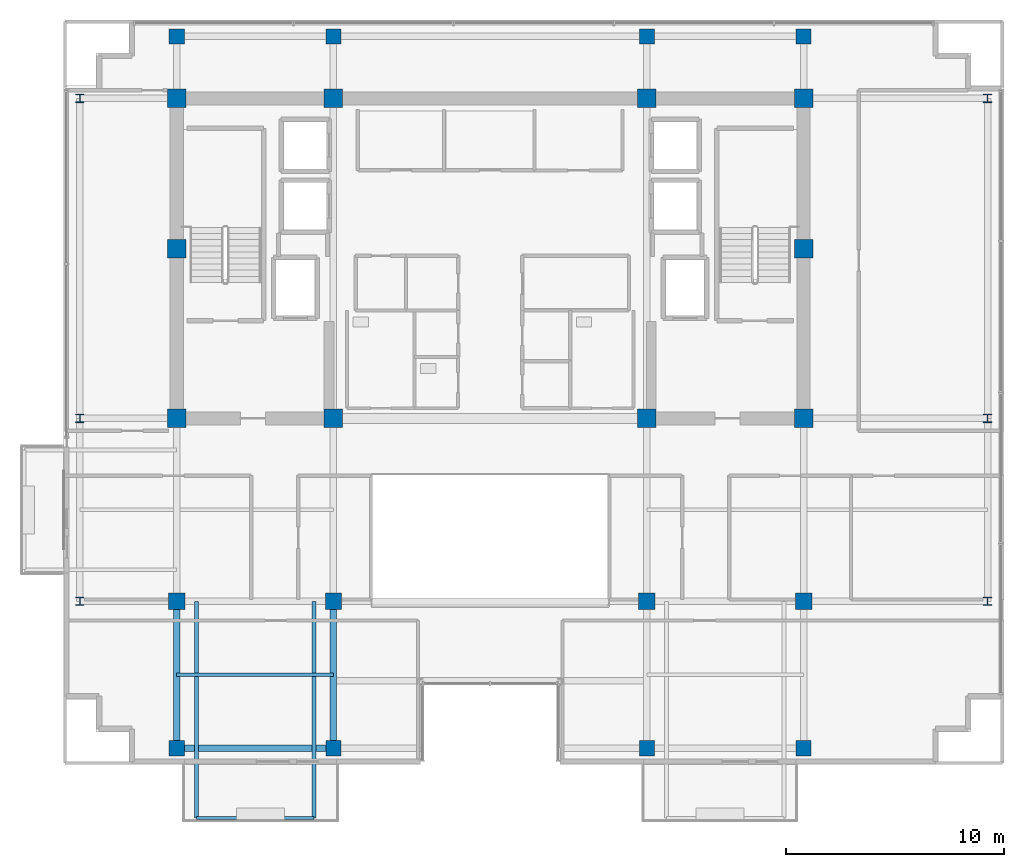
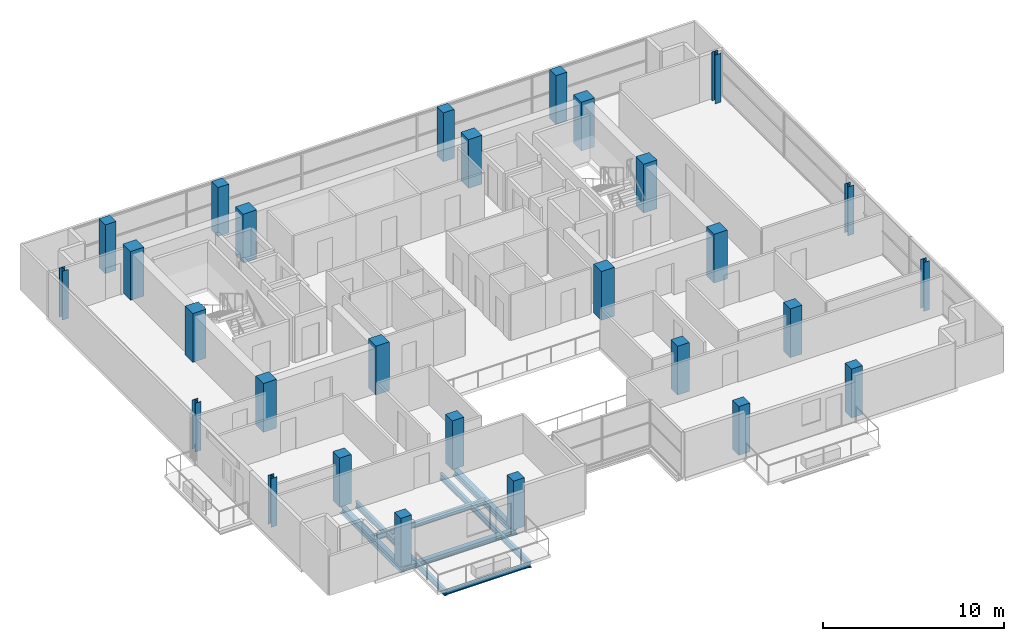
# One storey, part 1 of 21: 28 columns, 7 beams.
"""IFC4 building model written with IfcOpenShell, lengths in metres."""

from ifc_helpers import new_model, si_unit, direction, frame, origin, origin_2d, place, context, subcontext, project, spatial, rectangle, i_section, extrude, material, material_profile, profile_set, type_object, element, save


model = new_model("IFC4")

# Units and contexts
model_context = context("Model", 3, precision=1e-05, world=origin(), true_north=direction((0.0, 1.0)))
body_context = subcontext(model_context, "Body", "Model", "MODEL_VIEW")
ifc_project = project(units=[si_unit("LENGTHUNIT", "METRE"), si_unit("AREAUNIT", "SQUARE_METRE"), si_unit("VOLUMEUNIT", "CUBIC_METRE"), si_unit("PLANEANGLEUNIT", "RADIAN"), si_unit("MASSUNIT", "GRAM", prefix="KILO")], contexts=[model_context])

# Site, building, storey
site_placement = place(None, origin())
site = spatial("IfcSite", under=ifc_project, at=site_placement, CompositionType="ELEMENT")
building_placement = place(site_placement, origin())
building = spatial("IfcBuilding", under=site, at=building_placement, Name="Zarnakvel Exchange Tower", CompositionType="ELEMENT")
storey_placement = place(building_placement, frame((0.0, 0.0, 241.89990234375)))
storey = spatial("IfcBuildingStorey", under=building, at=storey_placement, Name="L68", CompositionType="ELEMENT", Elevation=241.89990234375)

# Columns
ifc_material_1 = material(Name="Concrete C50/60", Category="concrete")
ifc_material_profile_1 = material_profile(ifc_material_1, rectangle(XDim=0.85009765625, YDim=0.85009765625, at=origin_2d()))
ifc_profile_set_1 = profile_set([ifc_material_profile_1], Name="Concrete C50/60")
column_type_1 = type_object("IfcColumnType", Name="CC-03", PredefinedType="COLUMN", material=ifc_profile_set_1)
for number, where, z_axis, x_axis, name in (
    (1, (-14.39990234375, -1.199951171875, 0.0), (0.0, 0.0, 1.0), (1.0, 0.0, 0.0), "L68 Column C-4D (CC-03)"),
    (2, (-7.199951171875, -1.199951171875, 0.0), (0.0, 0.0, 1.0), (1.0, 0.0, 0.0), "L68 Column C-5D (CC-03)"),
    (3, (7.199951171875, -1.199951171875, 0.0), (0.0, 0.0, 1.0), (1.0, 0.0, 0.0), "L68 Column C-8D (CC-03)"),
    (4, (14.39990234375, -1.199951171875, 0.0), (0.0, 0.0, 1.0), (1.0, 0.0, 0.0), "L68 Column C-9D (CC-03)"),
    (5, (-14.39990234375, 6.60009765625, 0.0), (0.0, 0.0, 1.0), (1.0, 0.0, 0.0), "L68 Column C-4E (CC-03)"),
    (6, (14.39990234375, 6.60009765625, 0.0), (0.0, 0.0, 1.0), (1.0, 0.0, 0.0), "L68 Column C-9E (CC-03)"),
    (7, (-14.39990234375, 13.5, 0.0), (0.0, 0.0, 1.0), (1.0, 0.0, 0.0), "L68 Column C-4F (CC-03)"),
    (8, (-7.199951171875, 13.5, 0.0), (0.0, 0.0, 1.0), (1.0, 0.0, 0.0), "L68 Column C-5F (CC-03)"),
    (9, (7.199951171875, 13.5, 0.0), (0.0, 0.0, 1.0), (1.0, 0.0, 0.0), "L68 Column C-8F (CC-03)"),
    (10, (14.39990234375, 13.5, 0.0), (0.0, 0.0, 1.0), (1.0, 0.0, 0.0), "L68 Column C-9F (CC-03)"),
):
    element("IfcColumn", number, at=place(storey_placement, frame(where, z_axis=z_axis, x_axis=x_axis)), inside=storey, type_object=column_type_1, Name=name, PredefinedType="COLUMN", context=body_context, shape_type="SweptSolid", body=[
        extrude(rectangle(XDim=0.85009765625, YDim=0.85009765625, at=origin_2d()), origin(), (0.0, 0.0, 1.0), 3.300048828125),
    ])
ifc_material_2 = material(Name="Steel S355", Category="steel")
ifc_material_profile_2 = material_profile(ifc_material_2, i_section(OverallWidth=0.374755859375, OverallDepth=0.37451171875, WebThickness=0.0166015625, FlangeThickness=0.027099609375, FilletRadius=0.01513671875, at=origin_2d()))
ifc_profile_set_2 = profile_set([ifc_material_profile_2], Name="Steel S355")
column_type_2 = type_object("IfcColumnType", Name="SC-05", PredefinedType="COLUMN", material=ifc_profile_set_2)
for number, where, z_axis, x_axis, name in (
    (11, (-18.85009765625, -9.60009765625, 0.0), (0.0, 0.0, 1.0), (1.0, 0.0, 0.0), "L68 Column TW-C (SC-05)"),
    (12, (22.85009765625, -9.60009765625, 0.0), (0.0, 0.0, 1.0), (1.0, 0.0, 0.0), "L68 Column TE-C (SC-05)"),
    (13, (-18.85009765625, -1.199951171875, 0.0), (0.0, 0.0, 1.0), (1.0, 0.0, 0.0), "L68 Column TW-D (SC-05)"),
    (14, (22.85009765625, -1.199951171875, 0.0), (0.0, 0.0, 1.0), (1.0, 0.0, 0.0), "L68 Column TE-D (SC-05)"),
    (15, (-18.85009765625, 13.5, 0.0), (0.0, 0.0, 1.0), (1.0, 0.0, 0.0), "L68 Column TW-F (SC-05)"),
    (16, (22.85009765625, 13.5, 0.0), (0.0, 0.0, 1.0), (1.0, 0.0, 0.0), "L68 Column TE-F (SC-05)"),
):
    element("IfcColumn", number, at=place(storey_placement, frame(where, z_axis=z_axis, x_axis=x_axis)), inside=storey, type_object=column_type_2, Name=name, PredefinedType="COLUMN", context=body_context, shape_type="SweptSolid", body=[
        extrude(i_section(OverallWidth=0.374755859375, OverallDepth=0.37451171875, WebThickness=0.0166015625, FlangeThickness=0.027099609375, FilletRadius=0.01513671875, at=origin_2d()), origin(), (0.0, 0.0, 1.0), 3.300048828125),
    ])
ifc_material_profile_3 = material_profile(ifc_material_1, rectangle(XDim=0.75, YDim=0.75, at=origin_2d()))
ifc_profile_set_3 = profile_set([ifc_material_profile_3], Name="Concrete C50/60")
column_type_3 = type_object("IfcColumnType", Name="TC-04", PredefinedType="COLUMN", material=ifc_profile_set_3)
for number, where, z_axis, x_axis, name in (
    (17, (-14.39990234375, -9.60009765625, 0.0), (0.0, 0.0, 1.0), (1.0, 0.0, 0.0), "L68 Column T-4C (TC-04)"),
    (18, (-7.199951171875, -9.60009765625, 0.0), (0.0, 0.0, 1.0), (1.0, 0.0, 0.0), "L68 Column T-5C (TC-04)"),
    (19, (7.199951171875, -9.60009765625, 0.0), (0.0, 0.0, 1.0), (1.0, 0.0, 0.0), "L68 Column T-8C (TC-04)"),
    (20, (14.39990234375, -9.60009765625, 0.0), (0.0, 0.0, 1.0), (1.0, 0.0, 0.0), "L68 Column T-9C (TC-04)"),
):
    element("IfcColumn", number, at=place(storey_placement, frame(where, z_axis=z_axis, x_axis=x_axis)), inside=storey, type_object=column_type_3, Name=name, PredefinedType="COLUMN", context=body_context, shape_type="SweptSolid", body=[
        extrude(rectangle(XDim=0.75, YDim=0.75, at=origin_2d()), origin(), (0.0, 0.0, 1.0), 3.300048828125),
    ])
ifc_material_profile_4 = material_profile(ifc_material_1, rectangle(XDim=0.699951171875, YDim=0.699951171875, at=origin_2d()))
ifc_profile_set_4 = profile_set([ifc_material_profile_4], Name="Concrete C50/60")
column_type_4 = type_object("IfcColumnType", Name="TC-05", PredefinedType="COLUMN", material=ifc_profile_set_4)
for number, where, z_axis, x_axis, name in (
    (21, (-14.39990234375, -16.35009765625, 0.0), (0.0, 0.0, 1.0), (1.0, 0.0, 0.0), "L68 Column TS-4 (TC-05)"),
    (22, (-14.39990234375, 16.35009765625, 0.0), (0.0, 0.0, 1.0), (1.0, 0.0, 0.0), "L68 Column TN-4 (TC-05)"),
    (23, (-7.199951171875, -16.35009765625, 0.0), (0.0, 0.0, 1.0), (1.0, 0.0, 0.0), "L68 Column TS-5 (TC-05)"),
    (24, (-7.199951171875, 16.35009765625, 0.0), (0.0, 0.0, 1.0), (1.0, 0.0, 0.0), "L68 Column TN-5 (TC-05)"),
    (25, (7.199951171875, -16.35009765625, 0.0), (0.0, 0.0, 1.0), (1.0, 0.0, 0.0), "L68 Column TS-8 (TC-05)"),
    (26, (7.199951171875, 16.35009765625, 0.0), (0.0, 0.0, 1.0), (1.0, 0.0, 0.0), "L68 Column TN-8 (TC-05)"),
    (27, (14.39990234375, -16.35009765625, 0.0), (0.0, 0.0, 1.0), (1.0, 0.0, 0.0), "L68 Column TS-9 (TC-05)"),
    (28, (14.39990234375, 16.35009765625, 0.0), (0.0, 0.0, 1.0), (1.0, 0.0, 0.0), "L68 Column TN-9 (TC-05)"),
):
    element("IfcColumn", number, at=place(storey_placement, frame(where, z_axis=z_axis, x_axis=x_axis)), inside=storey, type_object=column_type_4, Name=name, PredefinedType="COLUMN", context=body_context, shape_type="SweptSolid", body=[
        extrude(rectangle(XDim=0.699951171875, YDim=0.699951171875, at=origin_2d()), origin(), (0.0, 0.0, 1.0), 3.300048828125),
    ])

# Beams
ifc_material_profile_5 = material_profile(ifc_material_2, i_section(OverallWidth=0.179931640625, OverallDepth=0.39990234375, WebThickness=0.008544921875, FlangeThickness=0.013427734375, FilletRadius=0.02099609375, at=origin_2d()))
ifc_profile_set_5 = profile_set([ifc_material_profile_5], Name="Steel S355")
beam_type_1 = type_object("IfcBeamType", Name="B-06", PredefinedType="JOIST", material=ifc_profile_set_5)
for number, where, z_axis, x_axis, name in (
    (29, (-13.5, -9.60009765625, -0.4248046875), (0.0, -1.0, 0.0), (1.0, 0.0, 0.0), "L68 Continuous Back-Spanned Balcony Beam W"),
    (30, (-8.10009765625, -9.60009765625, -0.4248046875), (0.0, -1.0, 0.0), (1.0, 0.0, 0.0), "L68 Continuous Back-Spanned Balcony Beam E"),
):
    element("IfcBeam", number, at=place(storey_placement, frame(where, z_axis=z_axis, x_axis=x_axis)), inside=storey, type_object=beam_type_1, Name=name, PredefinedType="JOIST", context=body_context, shape_type="SweptSolid", body=[
        extrude(i_section(OverallWidth=0.179931640625, OverallDepth=0.39990234375, WebThickness=0.008544921875, FlangeThickness=0.013427734375, FilletRadius=0.02099609375, at=origin_2d()), origin(), (0.0, 0.0, 1.0), 9.949951171875),
    ])
ifc_material_profile_6 = material_profile(ifc_material_2, i_section(OverallWidth=0.169921875, OverallDepth=0.360107421875, WebThickness=0.008056640625, FlangeThickness=0.0126953125, FilletRadius=0.01806640625, at=origin_2d()))
ifc_profile_set_6 = profile_set([ifc_material_profile_6], Name="Steel S355")
beam_type_2 = type_object("IfcBeamType", Name="B-07", PredefinedType="JOIST", material=ifc_profile_set_6)
beam_1_placement = place(storey_placement, frame((-14.39990234375, -12.97509765625, -0.40478515625), z_axis=(1.0, 0.0, 0.0), x_axis=(0.0, 1.0, 0.0)))
element("IfcBeam", 31, at=beam_1_placement, inside=storey, type_object=beam_type_2, Name="L68 Composite Floor Secondary Joist", PredefinedType="JOIST", context=body_context, shape_type="SweptSolid", body=[
    extrude(i_section(OverallWidth=0.169921875, OverallDepth=0.360107421875, WebThickness=0.008056640625, FlangeThickness=0.0126953125, FilletRadius=0.01806640625, at=origin_2d()), origin(), (0.0, 0.0, 1.0), 7.199951171875),
])
ifc_material_profile_7 = material_profile(ifc_material_2, i_section(OverallWidth=0.14990234375, OverallDepth=0.300048828125, WebThickness=0.007080078125, FlangeThickness=0.0107421875, FilletRadius=0.014892578125, at=origin_2d()))
ifc_profile_set_7 = profile_set([ifc_material_profile_7], Name="Steel S355")
beam_type_3 = type_object("IfcBeamType", Name="B-08", PredefinedType="JOIST", material=ifc_profile_set_7)
beam_2_placement = place(storey_placement, frame((-13.5, -19.550048828125, -0.375), z_axis=(1.0, 0.0, 0.0), x_axis=(0.0, 1.0, 0.0)))
element("IfcBeam", 32, at=beam_2_placement, inside=storey, type_object=beam_type_3, Name="L68 Balcony Edge Beam", PredefinedType="JOIST", context=body_context, shape_type="SweptSolid", body=[
    extrude(i_section(OverallWidth=0.14990234375, OverallDepth=0.300048828125, WebThickness=0.007080078125, FlangeThickness=0.0107421875, FilletRadius=0.014892578125, at=origin_2d()), origin(), (0.0, 0.0, 1.0), 5.39990234375),
])
ifc_material_profile_8 = material_profile(ifc_material_2, i_section(OverallWidth=0.300048828125, OverallDepth=0.449951171875, WebThickness=0.013916015625, FlangeThickness=0.02587890625, FilletRadius=0.027099609375, at=origin_2d()))
ifc_profile_set_8 = profile_set([ifc_material_profile_8], Name="Steel S355")
beam_type_4 = type_object("IfcBeamType", Name="G-07", PredefinedType="BEAM", material=ifc_profile_set_8)
for number, where, z_axis, x_axis, name in (
    (33, (-14.39990234375, -16.35009765625, -0.449951171875), (0.0, 1.0, 0.0), (-1.0, 0.0, 0.0), "L68 Tower N-S Frame Beam"),
    (34, (-7.199951171875, -16.35009765625, -0.449951171875), (0.0, 1.0, 0.0), (-1.0, 0.0, 0.0), "L68 Tower N-S Frame Beam"),
):
    element("IfcBeam", number, at=place(storey_placement, frame(where, z_axis=z_axis, x_axis=x_axis)), inside=storey, type_object=beam_type_4, Name=name, PredefinedType="BEAM", context=body_context, shape_type="SweptSolid", body=[
        extrude(i_section(OverallWidth=0.300048828125, OverallDepth=0.449951171875, WebThickness=0.013916015625, FlangeThickness=0.02587890625, FilletRadius=0.027099609375, at=origin_2d()), origin(), (0.0, 0.0, 1.0), 6.75),
    ])
ifc_material_profile_9 = material_profile(ifc_material_2, i_section(OverallWidth=0.300048828125, OverallDepth=0.300048828125, WebThickness=0.010986328125, FlangeThickness=0.01904296875, FilletRadius=0.027099609375, at=origin_2d()))
ifc_profile_set_9 = profile_set([ifc_material_profile_9], Name="Steel S355")
beam_type_5 = type_object("IfcBeamType", Name="SP-03", PredefinedType="SPANDREL", material=ifc_profile_set_9)
beam_3_placement = place(storey_placement, frame((-14.39990234375, -16.35009765625, -0.375), z_axis=(1.0, 0.0, 0.0), x_axis=(0.0, 1.0, 0.0)))
element("IfcBeam", 35, at=beam_3_placement, inside=storey, type_object=beam_type_5, Name="L68 Tower E-W Frame Beam", PredefinedType="SPANDREL", context=body_context, shape_type="SweptSolid", body=[
    extrude(i_section(OverallWidth=0.300048828125, OverallDepth=0.300048828125, WebThickness=0.010986328125, FlangeThickness=0.01904296875, FilletRadius=0.027099609375, at=origin_2d()), origin(), (0.0, 0.0, 1.0), 7.199951171875),
])

save(model, "model.ifc")
